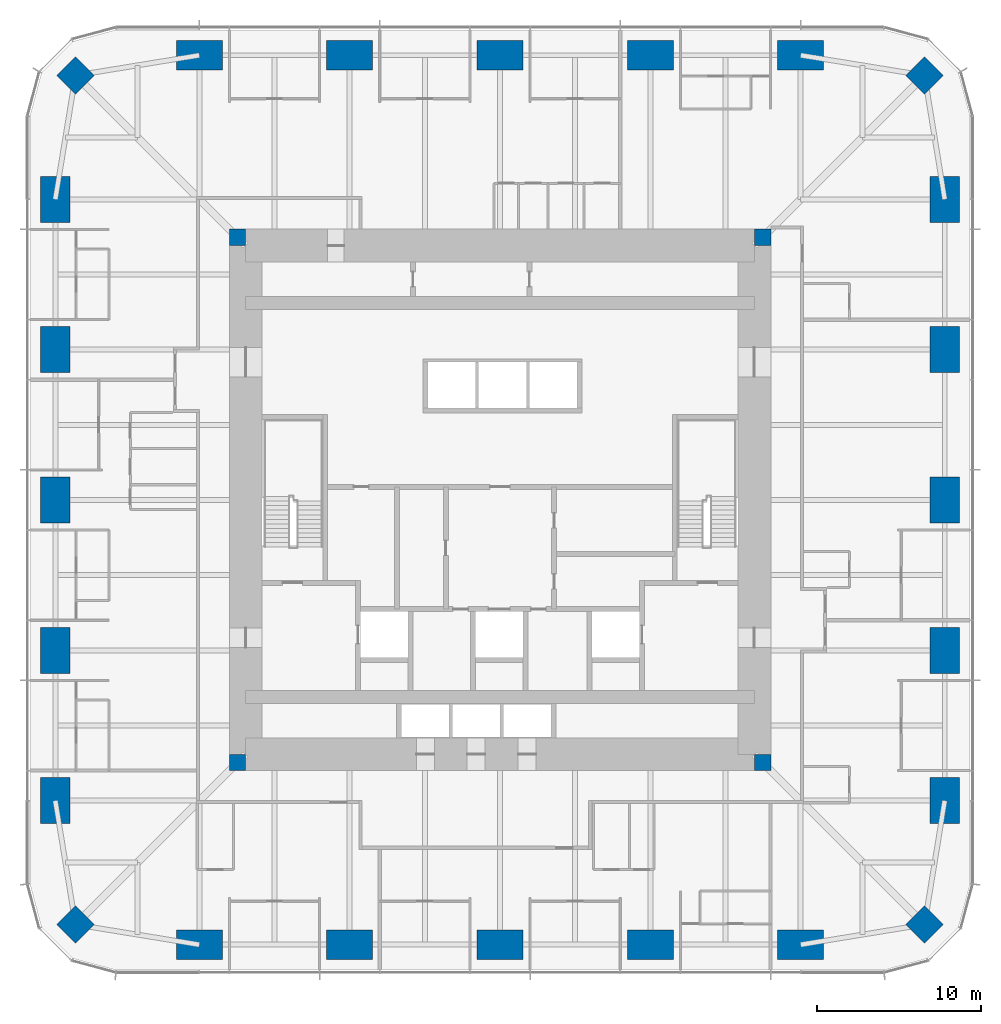
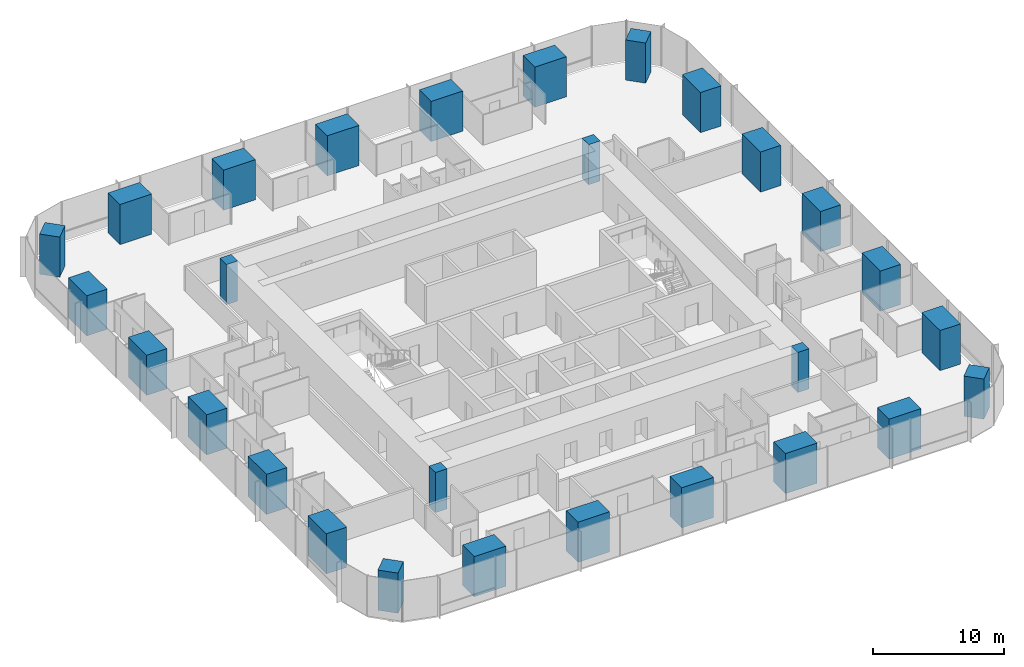
# One storey, part 1 of 13: 28 columns.
"""IFC4 building model written with IfcOpenShell, lengths in metres."""

from ifc_helpers import new_model, si_unit, direction, frame, origin, origin_2d, place, context, subcontext, project, spatial, rectangle, extrude, material, material_profile, profile_set, type_object, element, save


model = new_model("IFC4")

# Units and contexts
model_context = context("Model", 3, precision=1e-05, world=origin(), true_north=direction((0.0, 1.0)))
body_context = subcontext(model_context, "Body", "Model", "MODEL_VIEW")
ifc_project = project(units=[si_unit("LENGTHUNIT", "METRE"), si_unit("AREAUNIT", "SQUARE_METRE"), si_unit("VOLUMEUNIT", "CUBIC_METRE"), si_unit("PLANEANGLEUNIT", "RADIAN"), si_unit("MASSUNIT", "GRAM", prefix="KILO")], contexts=[model_context])

# Site, building, storey
site_placement = place(None, origin())
site = spatial("IfcSite", under=ifc_project, at=site_placement, CompositionType="ELEMENT")
building_placement = place(site_placement, origin())
building = spatial("IfcBuilding", under=site, at=building_placement, Name="Khuree Lantern Residences", CompositionType="ELEMENT")
storey_placement = place(building_placement, frame((0.0, 0.0, 144.75)))
storey = spatial("IfcBuildingStorey", under=building, at=storey_placement, Name="L36", CompositionType="ELEMENT", Elevation=144.75)

# Columns
ifc_material = material(Name="Concrete C70/85", Category="concrete")
ifc_material_profile_1 = material_profile(ifc_material, rectangle(XDim=1.60009765625, YDim=1.60009765625, at=origin_2d()), Name="RC 1600X1600")
ifc_profile_set_1 = profile_set([ifc_material_profile_1], Name="Concrete C70/85")
column_type_1 = type_object("IfcColumnType", Name="CC1600A PERIMETER CORNER COLUMN RC 1600X1600", PredefinedType="COLUMN", material=ifc_profile_set_1)
for number, where, z_axis, x_axis, name in (
    (1, (25.869873046875, 25.869873046875, 0.0), (0.0, 0.0, 1.0), (0.707106781187, -0.707106781187, 0.0), "Perimeter column NE"),
    (2, (25.869873046875, -25.869873046875, 0.0), (0.0, 0.0, 1.0), (0.707106781187, 0.707106781187, 0.0), "Perimeter column SE"),
    (3, (-25.869873046875, -25.869873046875, 0.0), (0.0, 0.0, 1.0), (0.707106781187, -0.707106781187, 0.0), "Perimeter column SW"),
    (4, (-25.869873046875, 25.869873046875, 0.0), (0.0, 0.0, 1.0), (0.707106781187, 0.707106781187, 0.0), "Perimeter column NW"),
):
    element("IfcColumn", number, at=place(storey_placement, frame(where, z_axis=z_axis, x_axis=x_axis)), inside=storey, type_object=column_type_1, Name=name, PredefinedType="COLUMN", context=body_context, shape_type="SweptSolid", body=[
        extrude(rectangle(XDim=1.60009765625, YDim=1.60009765625, at=origin_2d()), origin(), (0.0, 0.0, 1.0), 3.75),
    ])
ifc_material_profile_2 = material_profile(ifc_material, rectangle(XDim=1.0, YDim=1.0, at=origin_2d()), Name="RC 1000X1000")
ifc_profile_set_2 = profile_set([ifc_material_profile_2], Name="Concrete C70/85")
column_type_2 = type_object("IfcColumnType", Name="CP1000-C70 CORE CORNER PIER C70 RC 1000X1000", PredefinedType="COLUMN", material=ifc_profile_set_2)
for number, where, z_axis, x_axis, name in (
    (5, (16.0, 16.0, -0.25), (0.0, 0.0, 1.0), (1.0, 0.0, 0.0), "Core corner pier NE"),
    (6, (-16.0, 16.0, -0.25), (0.0, 0.0, 1.0), (1.0, 0.0, 0.0), "Core corner pier NW"),
    (7, (-16.0, -16.0, -0.25), (0.0, 0.0, 1.0), (1.0, 0.0, 0.0), "Core corner pier SW"),
    (8, (16.0, -16.0, -0.25), (0.0, 0.0, 1.0), (1.0, 0.0, 0.0), "Core corner pier SE"),
):
    element("IfcColumn", number, at=place(storey_placement, frame(where, z_axis=z_axis, x_axis=x_axis)), inside=storey, type_object=column_type_2, Name=name, PredefinedType="COLUMN", context=body_context, shape_type="SweptSolid", body=[
        extrude(rectangle(XDim=1.0, YDim=1.0, at=origin_2d()), origin(), (0.0, 0.0, 1.0), 3.75),
    ])
ifc_material_profile_3 = material_profile(ifc_material, rectangle(XDim=2.800048828125, YDim=1.800048828125, at=origin_2d()), Name="RC 2800X1800")
ifc_profile_set_3 = profile_set([ifc_material_profile_3], Name="Concrete C70/85")
column_type_3 = type_object("IfcColumnType", Name="PC2 PERIMETER COLUMN RC 2800X1800", PredefinedType="COLUMN", material=ifc_profile_set_3)
for number, where, z_axis, x_axis, name in (
    (9, (-18.320068359375, 27.10009765625, 0.0), (0.0, 0.0, 1.0), (1.0, 0.0, 0.0), "Perimeter column N1"),
    (10, (-9.159912109375, 27.10009765625, 0.0), (0.0, 0.0, 1.0), (1.0, 0.0, 0.0), "Perimeter column N2"),
    (11, (0.0, 27.10009765625, 0.0), (0.0, 0.0, 1.0), (1.0, 0.0, 0.0), "Perimeter column N3"),
    (12, (9.159912109375, 27.10009765625, 0.0), (0.0, 0.0, 1.0), (1.0, 0.0, 0.0), "Perimeter column N4"),
    (13, (18.320068359375, 27.10009765625, 0.0), (0.0, 0.0, 1.0), (1.0, 0.0, 0.0), "Perimeter column N5"),
    (14, (27.10009765625, 18.320068359375, 0.0), (0.0, 0.0, 1.0), (0.0, 1.0, 0.0), "Perimeter column E1"),
    (15, (27.10009765625, 9.159912109375, 0.0), (0.0, 0.0, 1.0), (0.0, 1.0, 0.0), "Perimeter column E2"),
    (16, (27.10009765625, 0.0, 0.0), (0.0, 0.0, 1.0), (0.0, 1.0, 0.0), "Perimeter column E3"),
    (17, (27.10009765625, -9.159912109375, 0.0), (0.0, 0.0, 1.0), (0.0, 1.0, 0.0), "Perimeter column E4"),
    (18, (27.10009765625, -18.320068359375, 0.0), (0.0, 0.0, 1.0), (0.0, 1.0, 0.0), "Perimeter column E5"),
    (19, (18.320068359375, -27.10009765625, 0.0), (0.0, 0.0, 1.0), (1.0, 0.0, 0.0), "Perimeter column S1"),
    (20, (9.159912109375, -27.10009765625, 0.0), (0.0, 0.0, 1.0), (1.0, 0.0, 0.0), "Perimeter column S2"),
    (21, (0.0, -27.10009765625, 0.0), (0.0, 0.0, 1.0), (1.0, 0.0, 0.0), "Perimeter column S3"),
    (22, (-9.159912109375, -27.10009765625, 0.0), (0.0, 0.0, 1.0), (1.0, 0.0, 0.0), "Perimeter column S4"),
    (23, (-18.320068359375, -27.10009765625, 0.0), (0.0, 0.0, 1.0), (1.0, 0.0, 0.0), "Perimeter column S5"),
    (24, (-27.10009765625, -18.320068359375, 0.0), (0.0, 0.0, 1.0), (0.0, 1.0, 0.0), "Perimeter column W1"),
    (25, (-27.10009765625, -9.159912109375, 0.0), (0.0, 0.0, 1.0), (0.0, 1.0, 0.0), "Perimeter column W2"),
    (26, (-27.10009765625, 0.0, 0.0), (0.0, 0.0, 1.0), (0.0, 1.0, 0.0), "Perimeter column W3"),
    (27, (-27.10009765625, 9.159912109375, 0.0), (0.0, 0.0, 1.0), (0.0, 1.0, 0.0), "Perimeter column W4"),
    (28, (-27.10009765625, 18.320068359375, 0.0), (0.0, 0.0, 1.0), (0.0, 1.0, 0.0), "Perimeter column W5"),
):
    element("IfcColumn", number, at=place(storey_placement, frame(where, z_axis=z_axis, x_axis=x_axis)), inside=storey, type_object=column_type_3, Name=name, PredefinedType="COLUMN", context=body_context, shape_type="SweptSolid", body=[
        extrude(rectangle(XDim=2.800048828125, YDim=1.800048828125, at=origin_2d()), origin(), (0.0, 0.0, 1.0), 3.75),
    ])

save(model, "model.ifc")
